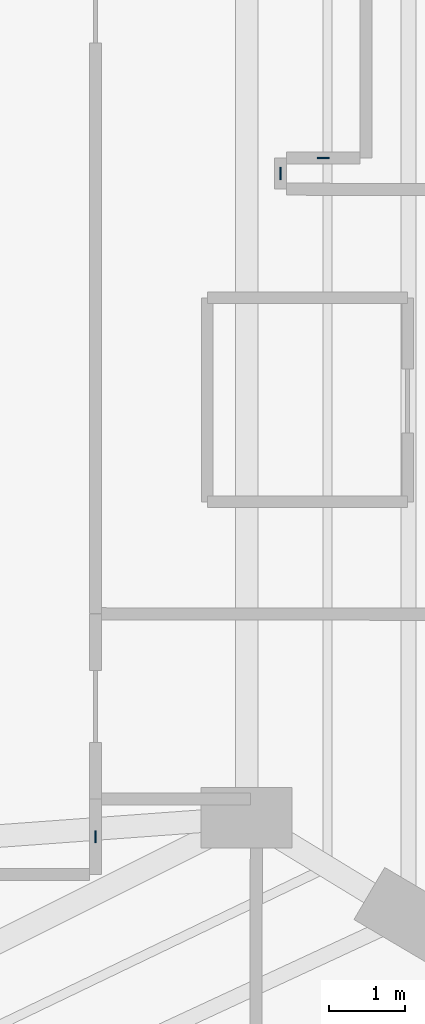
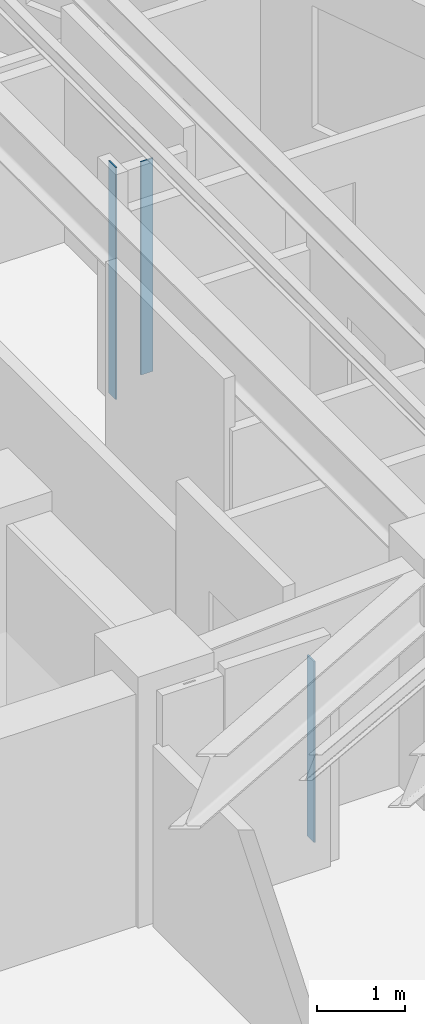
# One storey, part 6 of 14: 3 plates.
"""IFC4 building model written with IfcOpenShell, lengths in metres."""

from ifc_helpers import new_model, si_unit, direction, frame, origin, origin_2d, place, context, subcontext, project, spatial, rectangle, extrude, material, layer, layer_set, type_object, element, save


model = new_model("IFC4")

# Units and contexts
model_context = context("Model", 3, precision=1e-05, world=origin(), true_north=direction((0.0, 1.0)))
body_context = subcontext(model_context, "Body", "Model", "MODEL_VIEW")
ifc_project = project(units=[si_unit("LENGTHUNIT", "METRE"), si_unit("AREAUNIT", "SQUARE_METRE"), si_unit("VOLUMEUNIT", "CUBIC_METRE"), si_unit("PLANEANGLEUNIT", "RADIAN"), si_unit("MASSUNIT", "GRAM", prefix="KILO")], contexts=[model_context])

# Site, building, storey
site_placement = place(None, origin())
site = spatial("IfcSite", under=ifc_project, at=site_placement, CompositionType="ELEMENT")
building_placement = place(site_placement, origin())
building = spatial("IfcBuilding", under=site, at=building_placement, Name="Miruveldt Soraemaru", CompositionType="ELEMENT")
storey_placement = place(building_placement, frame((0.0, 0.0, 128.39990234375)))
storey = spatial("IfcBuildingStorey", under=building, at=storey_placement, Name="L35", CompositionType="ELEMENT", Elevation=128.39990234375)

# Plates
ifc_material = material(Name="Anodised aluminium EN AW-6063 T6", Category="aluminium")
ifc_layer = layer(ifc_material, 0.02001953125, Name="Anodised aluminium EN AW-6063 T6", Category="aluminium")
ifc_layer_set = layer_set([ifc_layer], Name="Anodised aluminium EN AW-6063 T6")
plate_type = type_object("IfcPlateType", Name="PLT-PART-TRIM", PredefinedType="SHEET", material=ifc_layer_set)
plate_1_placement = place(storey_placement, frame((54.60009765625, 35.550048828125, 0.000244140625), z_axis=(0.0, 0.0, 1.0), x_axis=(0.0, 1.0, 0.0)))
element("IfcPlate", 1, at=plate_1_placement, inside=storey, type_object=plate_type, Name="L35 Partition Step Corner Trim Plate 013", PredefinedType="SHEET", context=body_context, shape_type="SweptSolid", body=[
    extrude(rectangle(XDim=0.159912109375, YDim=0.02001953125, at=origin_2d()), origin(), (0.0, 0.0, 1.0), 2.52294921875),
])
plate_2_placement = place(storey_placement, frame((57.614990234375, 44.530029296875, 0.0), z_axis=(0.0, 0.0, 1.0), x_axis=(1.0, 0.0, 0.0)))
element("IfcPlate", 2, at=plate_2_placement, inside=storey, type_object=plate_type, Name="L35 Partition Step Corner Trim Plate 055", PredefinedType="SHEET", context=body_context, shape_type="SweptSolid", body=[
    extrude(rectangle(XDim=0.159912109375, YDim=0.02001953125, at=origin_2d()), origin(), (0.0, 0.0, 1.0), 2.972900390625),
])
plate_3_placement = place(storey_placement, frame((57.050048828125, 44.323486328125, 0.0), z_axis=(0.0, 0.0, 1.0), x_axis=(0.0, 1.0, 0.0)))
element("IfcPlate", 3, at=plate_3_placement, inside=storey, type_object=plate_type, Name="L35 Partition Step Corner Trim Plate 088", PredefinedType="SHEET", context=body_context, shape_type="SweptSolid", body=[
    extrude(rectangle(XDim=0.159912109375, YDim=0.02001953125, at=origin_2d()), origin(), (0.0, 0.0, 1.0), 3.235107421875),
])

save(model, "model.ifc")
